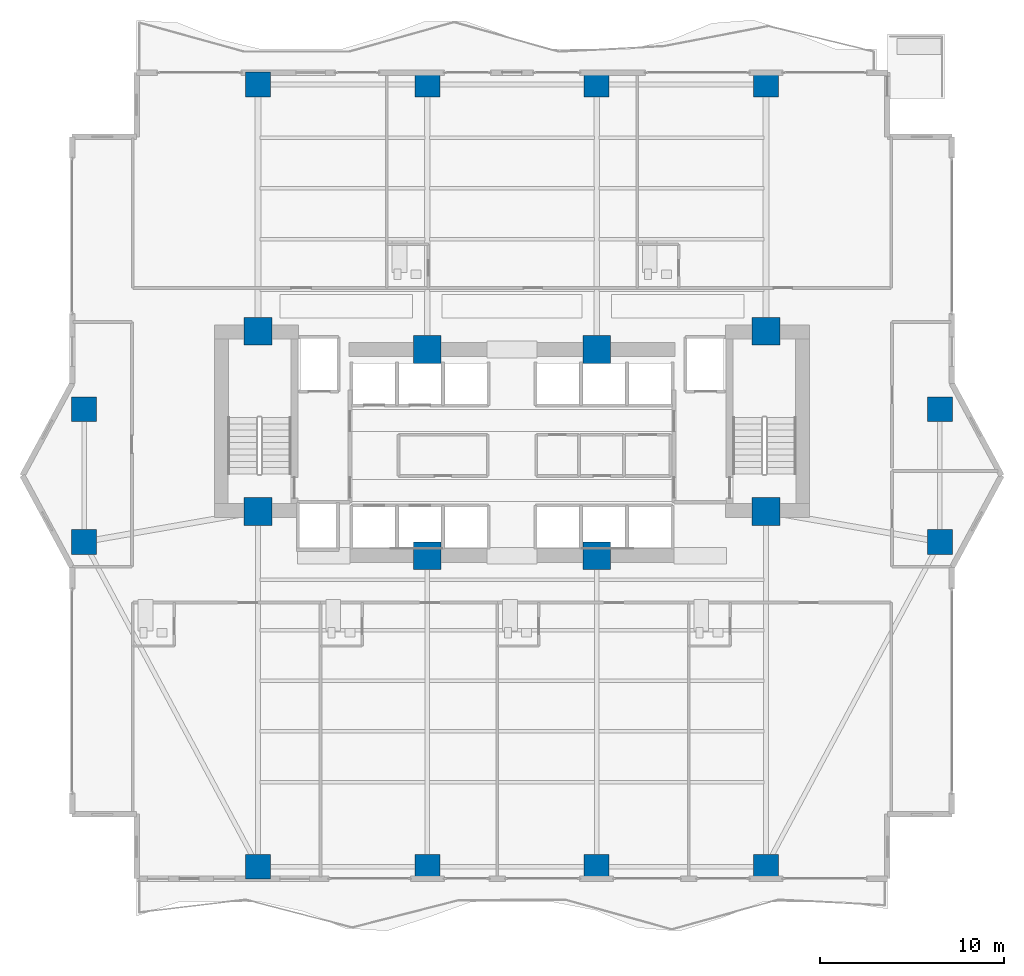
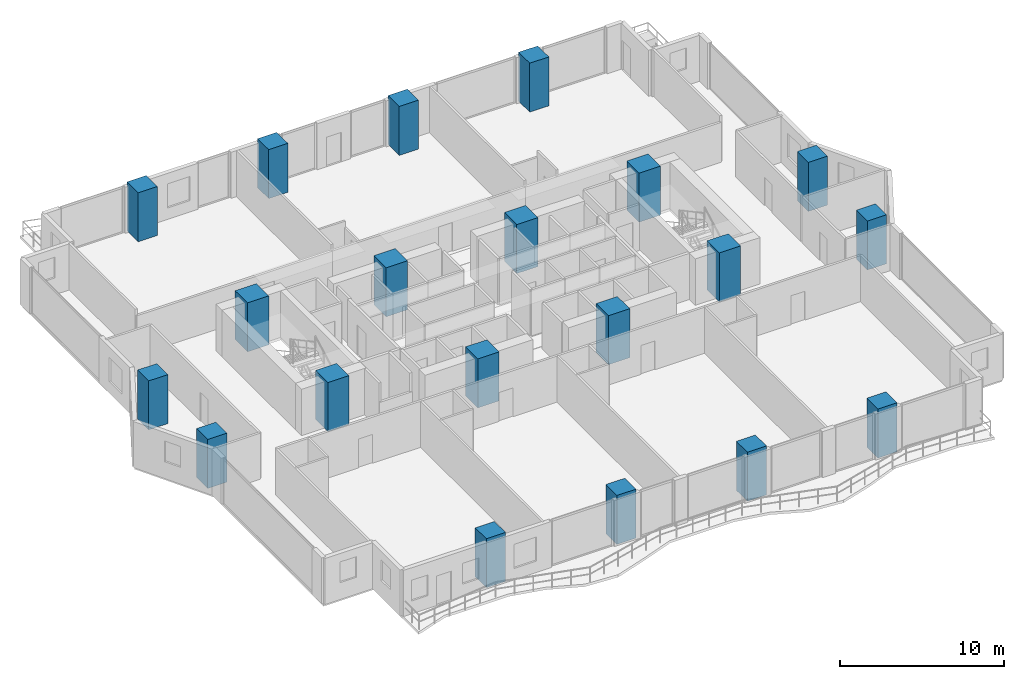
# One storey, part 1 of 28: 20 columns.
"""IFC4 building model written with IfcOpenShell, lengths in metres."""

from ifc_helpers import new_model, si_unit, direction, frame, origin, origin_2d, place, context, subcontext, project, spatial, rectangle, extrude, material, material_profile, profile_set, type_object, element, save


model = new_model("IFC4")

# Units and contexts
model_context = context("Model", 3, precision=1e-05, world=origin(), true_north=direction((0.0, 1.0)))
body_context = subcontext(model_context, "Body", "Model", "MODEL_VIEW")
ifc_project = project(units=[si_unit("LENGTHUNIT", "METRE"), si_unit("AREAUNIT", "SQUARE_METRE"), si_unit("VOLUMEUNIT", "CUBIC_METRE"), si_unit("PLANEANGLEUNIT", "RADIAN"), si_unit("MASSUNIT", "GRAM", prefix="KILO")], contexts=[model_context])

# Site, building, storey
site_placement = place(None, origin())
site = spatial("IfcSite", under=ifc_project, at=site_placement, CompositionType="ELEMENT")
building_placement = place(site_placement, origin())
building = spatial("IfcBuilding", under=site, at=building_placement, Name="Zuhayl Quay Hotel", CompositionType="ELEMENT")
storey_placement = place(building_placement, frame((0.0, 0.0, 143.10009765625)))
storey = spatial("IfcBuildingStorey", under=building, at=storey_placement, Name="L36", CompositionType="ELEMENT", Elevation=143.10009765625)

# Columns
ifc_material = material(Name="Concrete C70/85", Category="concrete")
ifc_material_profile_1 = material_profile(ifc_material, rectangle(XDim=1.5, YDim=1.5, at=origin_2d()), Name="RC1500X1500")
ifc_profile_set_1 = profile_set([ifc_material_profile_1], Name="Concrete C70/85")
column_type_1 = type_object("IfcColumnType", Name="CL_CC1_1500", PredefinedType="COLUMN", material=ifc_profile_set_1)
for number, where, z_axis, x_axis, name in (
    (1, (-13.800048828125, 14.35009765625, 0.0), (0.0, 0.0, 1.0), (1.0, 0.0, 0.0), "L36 Core Column CC_NW"),
    (2, (-4.60009765625, 13.35009765625, 0.0), (0.0, 0.0, 1.0), (1.0, 0.0, 0.0), "L36 Core Column CC_CNW"),
    (3, (4.60009765625, 13.35009765625, 0.0), (0.0, 0.0, 1.0), (1.0, 0.0, 0.0), "L36 Core Column CC_CNE"),
    (4, (13.800048828125, 14.35009765625, 0.0), (0.0, 0.0, 1.0), (1.0, 0.0, 0.0), "L36 Core Column CC_NE"),
    (5, (-13.800048828125, 4.550048828125, 0.0), (0.0, 0.0, 1.0), (1.0, 0.0, 0.0), "L36 Core Column CC_SW"),
    (6, (-4.60009765625, 2.14990234375, 0.0), (0.0, 0.0, 1.0), (1.0, 0.0, 0.0), "L36 Core Column CC_CSW"),
    (7, (4.60009765625, 2.14990234375, 0.0), (0.0, 0.0, 1.0), (1.0, 0.0, 0.0), "L36 Core Column CC_CSE"),
    (8, (13.800048828125, 4.550048828125, 0.0), (0.0, 0.0, 1.0), (1.0, 0.0, 0.0), "L36 Core Column CC_SE"),
):
    element("IfcColumn", number, at=place(storey_placement, frame(where, z_axis=z_axis, x_axis=x_axis)), inside=storey, type_object=column_type_1, Name=name, PredefinedType="COLUMN", context=body_context, shape_type="SweptSolid", body=[
        extrude(rectangle(XDim=1.5, YDim=1.5, at=origin_2d()), origin(), (0.0, 0.0, 1.0), 3.64990234375),
    ])
ifc_material_profile_2 = material_profile(ifc_material, rectangle(XDim=1.35009765625, YDim=1.35009765625, at=origin_2d()), Name="RC1350X1350")
ifc_profile_set_2 = profile_set([ifc_material_profile_2], Name="Concrete C70/85")
column_type_2 = type_object("IfcColumnType", Name="CL_MC2_1350", PredefinedType="COLUMN", material=ifc_profile_set_2)
for number, where, z_axis, x_axis, name in (
    (9, (-13.800048828125, -14.75, 0.0), (0.0, 0.0, 1.0), (1.0, 0.0, 0.0), "L36 Mega-Column MC_S1"),
    (10, (-4.60009765625, -14.75, 0.0), (0.0, 0.0, 1.0), (1.0, 0.0, 0.0), "L36 Mega-Column MC_S2"),
    (11, (4.60009765625, -14.75, 0.0), (0.0, 0.0, 1.0), (1.0, 0.0, 0.0), "L36 Mega-Column MC_S3"),
    (12, (13.800048828125, -14.75, 0.0), (0.0, 0.0, 1.0), (1.0, 0.0, 0.0), "L36 Mega-Column MC_S4"),
    (13, (-13.800048828125, 27.75, 0.0), (0.0, 0.0, 1.0), (1.0, 0.0, 0.0), "L36 Mega-Column MC_N1"),
    (14, (-4.60009765625, 27.75, 0.0), (0.0, 0.0, 1.0), (1.0, 0.0, 0.0), "L36 Mega-Column MC_N2"),
    (15, (4.60009765625, 27.75, 0.0), (0.0, 0.0, 1.0), (1.0, 0.0, 0.0), "L36 Mega-Column MC_N3"),
    (16, (13.800048828125, 27.75, 0.0), (0.0, 0.0, 1.0), (1.0, 0.0, 0.0), "L36 Mega-Column MC_N4"),
    (17, (-23.25, 2.89990234375, 0.0), (0.0, 0.0, 1.0), (1.0, 0.0, 0.0), "L36 Mega-Column MC_W1"),
    (18, (-23.25, 10.10009765625, 0.0), (0.0, 0.0, 1.0), (1.0, 0.0, 0.0), "L36 Mega-Column MC_W2"),
    (19, (23.25, 2.89990234375, 0.0), (0.0, 0.0, 1.0), (1.0, 0.0, 0.0), "L36 Mega-Column MC_E1"),
    (20, (23.25, 10.10009765625, 0.0), (0.0, 0.0, 1.0), (1.0, 0.0, 0.0), "L36 Mega-Column MC_E2"),
):
    element("IfcColumn", number, at=place(storey_placement, frame(where, z_axis=z_axis, x_axis=x_axis)), inside=storey, type_object=column_type_2, Name=name, PredefinedType="COLUMN", context=body_context, shape_type="SweptSolid", body=[
        extrude(rectangle(XDim=1.35009765625, YDim=1.35009765625, at=origin_2d()), origin(), (0.0, 0.0, 1.0), 3.64990234375),
    ])

save(model, "model.ifc")
